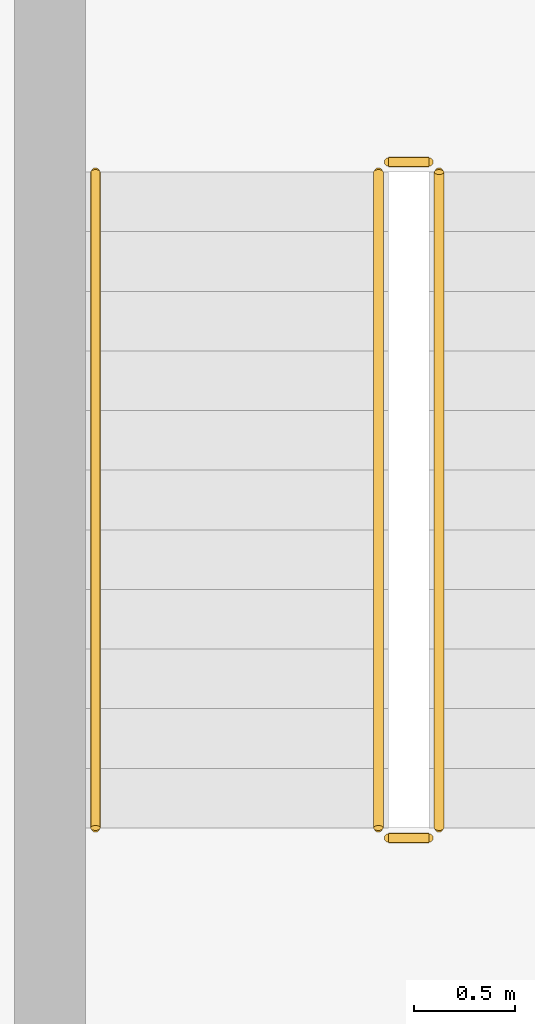
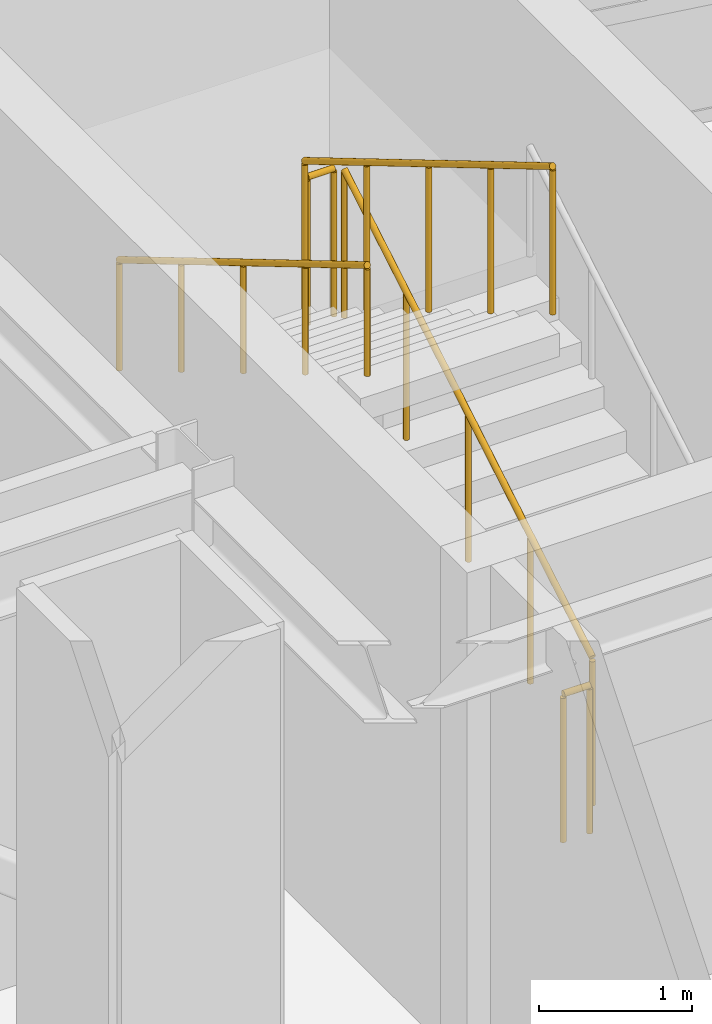
# One storey, part 85 of 88: 5 railings.
"""IFC4 building model written with IfcOpenShell, lengths in metres."""

from ifc_helpers import new_model, si_unit, direction, frame, origin, origin_2d, place, context, subcontext, project, spatial, circle, extrude, material, layer, layer_set, type_object, element, save


model = new_model("IFC4")

# Units and contexts
model_context = context("Model", 3, precision=1e-05, world=origin(), true_north=direction((0.0, 1.0)))
body_context = subcontext(model_context, "Body", "Model", "MODEL_VIEW")
ifc_project = project(units=[si_unit("LENGTHUNIT", "METRE"), si_unit("AREAUNIT", "SQUARE_METRE"), si_unit("VOLUMEUNIT", "CUBIC_METRE"), si_unit("PLANEANGLEUNIT", "RADIAN"), si_unit("MASSUNIT", "GRAM", prefix="KILO")], contexts=[model_context])

# Site, building, storey
site_placement = place(None, origin())
site = spatial("IfcSite", under=ifc_project, at=site_placement, CompositionType="ELEMENT")
building_placement = place(site_placement, origin())
building = spatial("IfcBuilding", under=site, at=building_placement, Name="Nordkorset Police Headquarters", CompositionType="ELEMENT")
storey_placement = place(building_placement, frame((0.0, 0.0, 9.449951171875)))
storey = spatial("IfcBuildingStorey", under=building, at=storey_placement, Name="L02", CompositionType="ELEMENT", Elevation=9.449951171875)

# Railings
ifc_material_1 = material(Name="Steel S355J2", Category="steel")
ifc_layer_1 = layer(ifc_material_1, 0.048095703125, Name="Steel S355J2")
ifc_layer_set_1 = layer_set([ifc_layer_1], Name="Steel S355J2")
railing_type_1 = type_object("IfcRailingType", Name="Railing_Handrail_900", PredefinedType="HANDRAIL", material=ifc_layer_set_1)
railing_1_placement = place(storey_placement, frame((58.97509765625, 113.77001953125, 2.275146484375)))
element("IfcRailing", 1, at=railing_1_placement, inside=storey, type_object=railing_type_1, Name="L02 ST-02 stair handrail 2", PredefinedType="HANDRAIL", context=body_context, shape_type="SweptSolid", body=[
    extrude(circle(Radius=0.02392578125, at=origin_2d()), frame((0.0, 0.0, 0.8759765625), z_axis=(0.0, -0.860085452069, 0.510149992786), x_axis=(1.0, 0.0, 0.0)), (0.0, 0.0, 1.0), 3.77294921875),
    extrude(circle(Radius=0.02099609375, at=origin_2d()), origin(), (0.0, 0.0, 1.0), 0.851806640625),
    extrude(circle(Radius=0.02099609375, at=origin_2d()), frame((0.0, -0.811279296875, 0.481201171875)), (0.0, 0.0, 1.0), 0.851806640625),
    extrude(circle(Radius=0.02099609375, at=origin_2d()), frame((0.0, -1.62255859375, 0.96240234375)), (0.0, 0.0, 1.0), 0.851806640625),
    extrude(circle(Radius=0.02099609375, at=origin_2d()), frame((0.0, -2.433837890625, 1.443603515625)), (0.0, 0.0, 1.0), 0.851806640625),
    extrude(circle(Radius=0.02099609375, at=origin_2d()), frame((0.0, -3.2451171875, 1.9248046875)), (0.0, 0.0, 1.0), 0.851806640625),
])
ifc_material_2 = material(Name="Steel S355J2", Category="steel")
ifc_layer_2 = layer(ifc_material_2, 0.050048828125, Name="Steel S355J2")
ifc_layer_set_2 = layer_set([ifc_layer_2], Name="Steel S355J2")
railing_type_2 = type_object("IfcRailingType", Name="Railing_StairGuard_1200", PredefinedType="GUARDRAIL", material=ifc_layer_set_2)
railing_2_placement = place(storey_placement, frame((60.675048828125, 110.52490234375, 0.175048828125)))
element("IfcRailing", 2, at=railing_2_placement, inside=storey, type_object=railing_type_2, Name="L02 ST-02 stair guard 1", PredefinedType="GUARDRAIL", context=body_context, shape_type="SweptSolid", body=[
    extrude(circle(Radius=0.02392578125, at=origin_2d()), frame((0.0, 0.0, 1.17578125), z_axis=(0.0, 0.860057060016, 0.510197857224), x_axis=(-1.0, 0.0, 0.0)), (0.0, 0.0, 1.0), 3.773193359375),
    extrude(circle(Radius=0.02099609375, at=origin_2d()), origin(), (0.0, 0.0, 1.0), 1.15185546875),
    extrude(circle(Radius=0.02099609375, at=origin_2d()), frame((0.0, 0.811279296875, 0.481201171875)), (0.0, 0.0, 1.0), 1.15185546875),
    extrude(circle(Radius=0.02099609375, at=origin_2d()), frame((0.0, 1.62255859375, 0.96240234375)), (0.0, 0.0, 1.0), 1.15185546875),
    extrude(circle(Radius=0.02099609375, at=origin_2d()), frame((0.0, 2.433837890625, 1.44384765625)), (0.0, 0.0, 1.0), 1.15185546875),
    extrude(circle(Radius=0.02099609375, at=origin_2d()), frame((0.0, 3.2451171875, 1.925048828125)), (0.0, 0.0, 1.0), 1.15185546875),
])
railing_3_placement = place(storey_placement, frame((60.625, 113.820068359375, 2.10009765625)))
element("IfcRailing", 3, at=railing_3_placement, inside=storey, type_object=railing_type_2, Name="L02 ST-02 stair guard 2", PredefinedType="GUARDRAIL", context=body_context, shape_type="SweptSolid", body=[
    extrude(circle(Radius=0.02392578125, at=origin_2d()), frame((0.0, 0.0, 1.17578125), z_axis=(-1.0, 0.0, 0.0), x_axis=(0.0, -1.0, 0.0)), (0.0, 0.0, 1.0), 0.199951171875),
    extrude(circle(Radius=0.02099609375, at=origin_2d()), origin(), (0.0, 0.0, 1.0), 1.15185546875),
    extrude(circle(Radius=0.02099609375, at=origin_2d()), frame((-0.199951171875, 0.0, 0.0)), (0.0, 0.0, 1.0), 1.15185546875),
])
railing_4_placement = place(storey_placement, frame((60.375, 113.77001953125, 2.275146484375)))
element("IfcRailing", 4, at=railing_4_placement, inside=storey, type_object=railing_type_2, Name="L02 ST-02 stair guard 3", PredefinedType="GUARDRAIL", context=body_context, shape_type="SweptSolid", body=[
    extrude(circle(Radius=0.02392578125, at=origin_2d()), frame((0.0, 0.0, 1.17578125), z_axis=(0.0, -0.860085452069, 0.510149992786), x_axis=(1.0, 0.0, 0.0)), (0.0, 0.0, 1.0), 3.77294921875),
    extrude(circle(Radius=0.02099609375, at=origin_2d()), origin(), (0.0, 0.0, 1.0), 1.15185546875),
    extrude(circle(Radius=0.02099609375, at=origin_2d()), frame((0.0, -0.811279296875, 0.481201171875)), (0.0, 0.0, 1.0), 1.15185546875),
    extrude(circle(Radius=0.02099609375, at=origin_2d()), frame((0.0, -1.62255859375, 0.96240234375)), (0.0, 0.0, 1.0), 1.15185546875),
    extrude(circle(Radius=0.02099609375, at=origin_2d()), frame((0.0, -2.433837890625, 1.443603515625)), (0.0, 0.0, 1.0), 1.15185546875),
    extrude(circle(Radius=0.02099609375, at=origin_2d()), frame((0.0, -3.2451171875, 1.9248046875)), (0.0, 0.0, 1.0), 1.15185546875),
])
railing_5_placement = place(storey_placement, frame((60.625, 110.47509765625, 0.0)))
element("IfcRailing", 5, at=railing_5_placement, inside=storey, type_object=railing_type_2, Name="L02 ST-02 stair guard 4", PredefinedType="GUARDRAIL", context=body_context, shape_type="SweptSolid", body=[
    extrude(circle(Radius=0.02392578125, at=origin_2d()), frame((0.0, 0.0, 1.17578125), z_axis=(-1.0, 0.0, 0.0), x_axis=(0.0, -1.0, 0.0)), (0.0, 0.0, 1.0), 0.199951171875),
    extrude(circle(Radius=0.02099609375, at=origin_2d()), origin(), (0.0, 0.0, 1.0), 1.15185546875),
    extrude(circle(Radius=0.02099609375, at=origin_2d()), frame((-0.199951171875, 0.0, 0.0)), (0.0, 0.0, 1.0), 1.15185546875),
])

save(model, "model.ifc")
